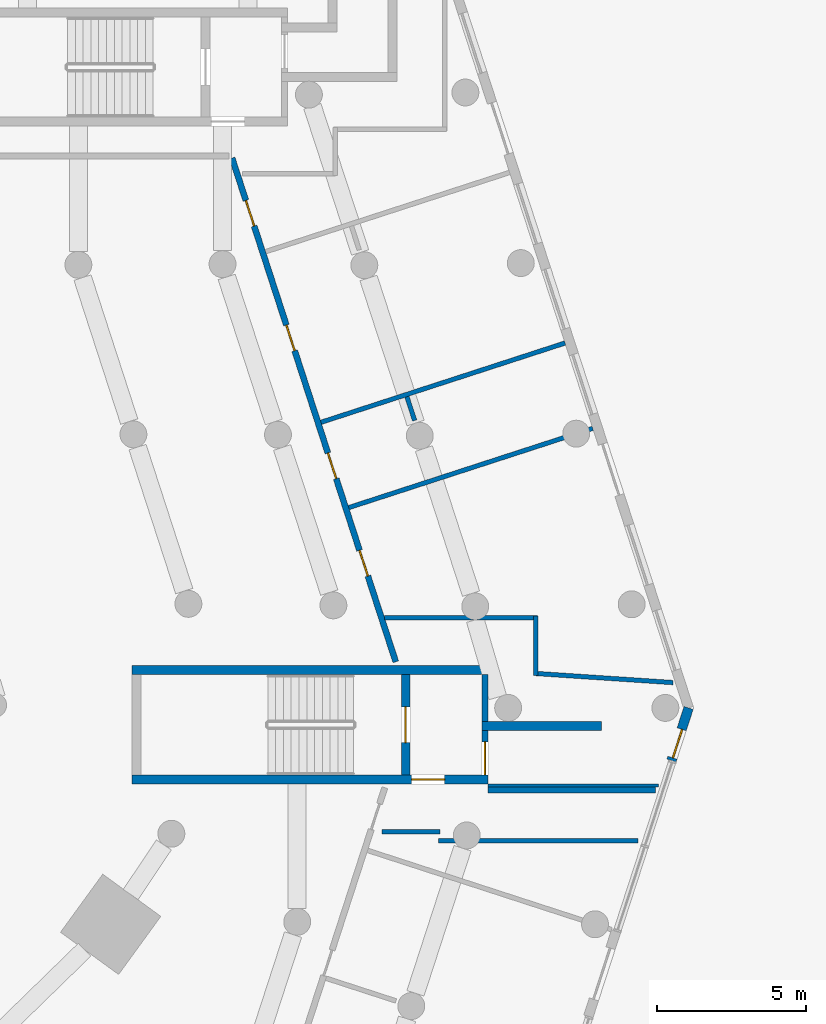
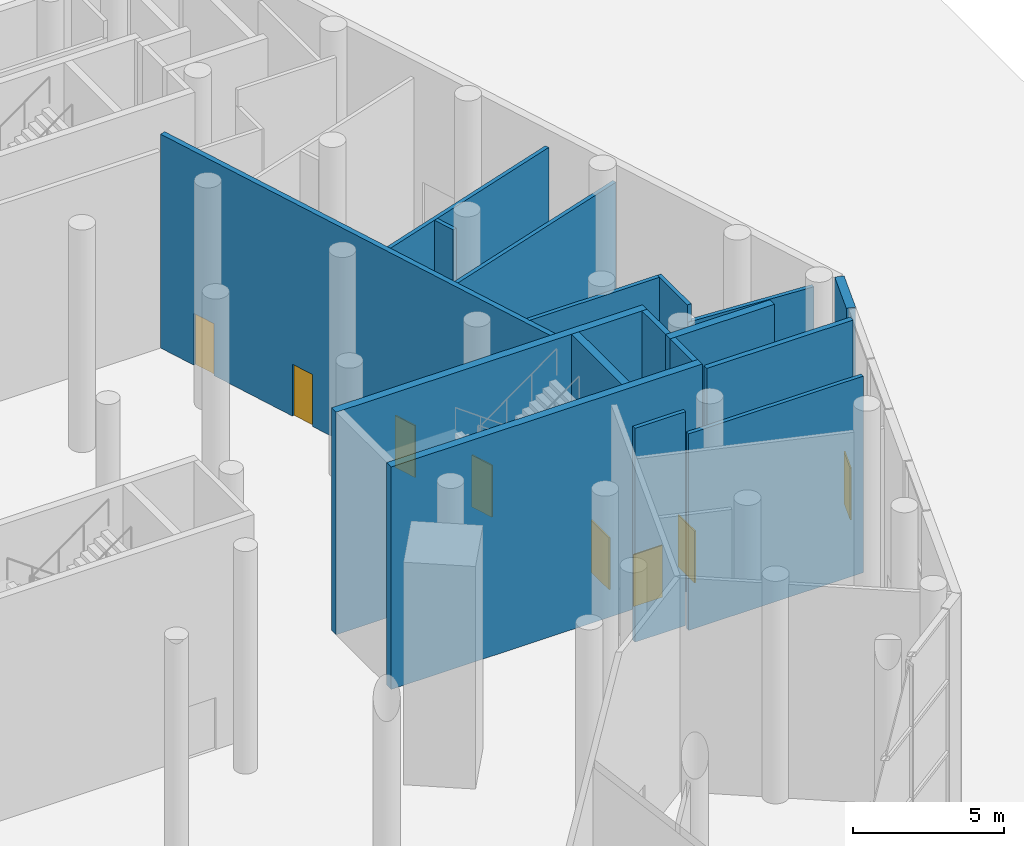
# One storey, part 13 of 25: 18 walls, 8 doors, 8 openings.
"""IFC4 building model written with IfcOpenShell, lengths in metres."""

from ifc_helpers import new_model, si_unit, direction, frame, frame_2d, origin, place, context, subcontext, project, spatial, rectangle, extrude, material, layer, layer_set, type_object, element, fill, save


model = new_model("IFC4")

# Units and contexts
model_context = context("Model", 3, precision=1e-05, world=origin(), true_north=direction((0.0, 1.0)))
body_context = subcontext(model_context, "Body", "Model", "MODEL_VIEW")
ifc_project = project(units=[si_unit("LENGTHUNIT", "METRE"), si_unit("AREAUNIT", "SQUARE_METRE"), si_unit("VOLUMEUNIT", "CUBIC_METRE"), si_unit("PLANEANGLEUNIT", "RADIAN"), si_unit("MASSUNIT", "GRAM", prefix="KILO")], contexts=[model_context])

# Site, building, storey
site_placement = place(None, origin())
site = spatial("IfcSite", under=ifc_project, at=site_placement, CompositionType="ELEMENT")
building_placement = place(site_placement, origin())
building = spatial("IfcBuilding", under=site, at=building_placement, Name="White Candle Pilgrim Tower", CompositionType="ELEMENT")
storey_placement = place(building_placement, origin())
storey = spatial("IfcBuildingStorey", under=building, at=storey_placement, Name="L00", CompositionType="ELEMENT", Elevation=0.0)

# Walls
ifc_material_1 = material(Name="Concrete C70/85", Category="concrete")
ifc_layer_1 = layer(ifc_material_1, 0.199951171875)
ifc_layer_set_1 = layer_set([ifc_layer_1], Name="Core wall 200 mm Concrete C70/85")
wall_type_1 = type_object("IfcWallType", Name="Core wall 200 mm Concrete C70/85", PredefinedType="SHEAR", material=ifc_layer_set_1)
wall_1_placement = place(storey_placement, frame((104.199951171875, 57.800048828125, 0.0), z_axis=(0.0, 0.0, 1.0), x_axis=(1.0, 0.0, 0.0)))
element("IfcWall", 1, at=wall_1_placement, inside=storey, type_object=wall_type_1, Name="WL-L00-C12", PredefinedType="SHEAR", context=body_context, shape_type="SweptSolid", body=[
    extrude(rectangle(XDim=5.60009765625, YDim=0.199951171875, at=frame_2d((2.800048828125, 0.0))), origin(), (0.0, 0.0, 1.0), 9.0),
])
wall_2_placement = place(storey_placement, frame((104.10009765625, 60.090087890625, 0.0), z_axis=(0.0, 0.0, 1.0), x_axis=(0.0, 1.0, 0.0)))
element("IfcWall", 2, at=wall_2_placement, inside=storey, type_object=wall_type_1, Name="WL-L00-C34", PredefinedType="SHEAR", context=body_context, shape_type="SweptSolid", body=[
    extrude(rectangle(XDim=1.559814453125, YDim=0.199951171875, at=frame_2d((0.77978515625, 0.0))), origin(), (0.0, 0.0, 1.0), 9.0),
])

# Wall, openings, doors
ifc_material_2 = material(Name="Gypsum board on steel studs", Category="steel")
ifc_layer_2 = layer(ifc_material_2, 0.199951171875)
ifc_layer_set_2 = layer_set([ifc_layer_2], Name="Corridor wall 200 mm EI 45")
wall_type_2 = type_object("IfcWallType", Name="Corridor wall 200 mm EI 45", PredefinedType="PARTITIONING", material=ifc_layer_set_2)
wall_3_placement = place(storey_placement, frame((95.64111328125, 78.930908203125, 0.0), z_axis=(0.0, 0.0, 1.0), x_axis=(0.309013160516, -0.951057761983, 0.0)))
wall_3 = element("IfcWall", 3, at=wall_3_placement, inside=storey, type_object=wall_type_2, Name="WL-L00-P010", PredefinedType="PARTITIONING", context=body_context, shape_type="SweptSolid", body=[
    extrude(rectangle(XDim=17.71728515625, YDim=0.199951171875, at=frame_2d((8.858642578125, 0.0))), origin(), (0.0, 0.0, 1.0), 8.64990234375),
])
opening_1_placement = place(wall_3_placement, frame((13.799072265625, 0.0, 0.0)))
opening_1 = element("IfcOpeningElement", 4, at=opening_1_placement, cuts=wall_3, Name="Opening L00-119", PredefinedType="OPENING", context=body_context, shape_type="SweptSolid", body=[
    extrude(rectangle(XDim=0.89990234375, YDim=2.10009765625, at=frame_2d((0.449951171875, 1.050048828125))), frame((0.0, 0.10986328125, 0.0), z_axis=(0.0, -1.0, 0.0), x_axis=(1.0, 0.0, 0.0)), (0.0, 0.0, 1.0), 0.219970703125),
])
opening_2_placement = place(wall_3_placement, frame((10.37548828125, 0.0, 0.0)))
opening_2 = element("IfcOpeningElement", 5, at=opening_2_placement, cuts=wall_3, Name="Opening L00-120", PredefinedType="OPENING", context=body_context, shape_type="SweptSolid", body=[
    extrude(rectangle(XDim=0.89990234375, YDim=2.10009765625, at=frame_2d((0.449951171875, 1.050048828125))), frame((0.0, 0.10986328125, 0.0), z_axis=(0.0, -1.0, 0.0), x_axis=(1.0, 0.0, 0.0)), (0.0, 0.0, 1.0), 0.219970703125),
])
opening_3_placement = place(wall_3_placement, frame((5.87548828125, 0.0, 0.0)))
opening_3 = element("IfcOpeningElement", 6, at=opening_3_placement, cuts=wall_3, Name="Opening L00-121", PredefinedType="OPENING", context=body_context, shape_type="SweptSolid", body=[
    extrude(rectangle(XDim=0.89990234375, YDim=2.10009765625, at=frame_2d((0.449951171875, 1.050048828125))), frame((0.0, 0.10986328125, 0.0), z_axis=(0.0, -1.0, 0.0), x_axis=(1.0, 0.0, 0.0)), (0.0, 0.0, 1.0), 0.219970703125),
])
opening_4_placement = place(wall_3_placement, frame((1.49169921875, 0.0, 0.0)))
opening_4 = element("IfcOpeningElement", 7, at=opening_4_placement, cuts=wall_3, Name="Opening L00-122", PredefinedType="OPENING", context=body_context, shape_type="SweptSolid", body=[
    extrude(rectangle(XDim=0.89990234375, YDim=2.10009765625, at=frame_2d((0.449951171875, 1.050048828125))), frame((0.0, 0.10986328125, 0.0), z_axis=(0.0, -1.0, 0.0), x_axis=(1.0, 0.0, 0.0)), (0.0, 0.0, 1.0), 0.219970703125),
])
ifc_material_3 = material(Name="Steel door leaf", Category="steel")
door_type_1 = type_object("IfcDoorType", Name="Fire door 900 x 2100 EI 30", OperationType="NOTDEFINED", PredefinedType="DOOR", material=ifc_material_3)
door_1_placement = place(opening_1_placement, origin())
door_1 = element("IfcDoor", 8, at=door_1_placement, inside=storey, type_object=door_type_1, Name="Door L00-119", OperationType="SINGLE_SWING_LEFT", OverallHeight=2.10009765625, OverallWidth=0.89990234375, PredefinedType="DOOR", context=body_context, shape_type="SweptSolid", body=[
    extrude(rectangle(XDim=0.89990234375, YDim=2.10009765625, at=frame_2d((0.449951171875, 1.050048828125))), frame((0.0, 0.02490234375, 0.0), z_axis=(0.0, -1.0, 0.0), x_axis=(1.0, 0.0, 0.0)), (0.0, 0.0, 1.0), 0.050048828125),
])
fill(opening_1, door_1)
door_2_placement = place(opening_2_placement, origin())
door_2 = element("IfcDoor", 9, at=door_2_placement, inside=storey, type_object=door_type_1, Name="Door L00-120", OperationType="SINGLE_SWING_RIGHT", OverallHeight=2.10009765625, OverallWidth=0.89990234375, PredefinedType="DOOR", context=body_context, shape_type="SweptSolid", body=[
    extrude(rectangle(XDim=0.89990234375, YDim=2.10009765625, at=frame_2d((0.449951171875, 1.050048828125))), frame((0.0, 0.02490234375, 0.0), z_axis=(0.0, -1.0, 0.0), x_axis=(1.0, 0.0, 0.0)), (0.0, 0.0, 1.0), 0.050048828125),
])
fill(opening_2, door_2)
door_3_placement = place(opening_3_placement, origin())
door_3 = element("IfcDoor", 10, at=door_3_placement, inside=storey, type_object=door_type_1, Name="Door L00-121", OperationType="SINGLE_SWING_LEFT", OverallHeight=2.10009765625, OverallWidth=0.89990234375, PredefinedType="DOOR", context=body_context, shape_type="SweptSolid", body=[
    extrude(rectangle(XDim=0.89990234375, YDim=2.10009765625, at=frame_2d((0.449951171875, 1.050048828125))), frame((0.0, 0.02490234375, 0.0), z_axis=(0.0, -1.0, 0.0), x_axis=(1.0, 0.0, 0.0)), (0.0, 0.0, 1.0), 0.050048828125),
])
fill(opening_3, door_3)
door_4_placement = place(opening_4_placement, origin())
door_4 = element("IfcDoor", 11, at=door_4_placement, inside=storey, type_object=door_type_1, Name="Door L00-122", OperationType="SINGLE_SWING_RIGHT", OverallHeight=2.10009765625, OverallWidth=0.89990234375, PredefinedType="DOOR", context=body_context, shape_type="SweptSolid", body=[
    extrude(rectangle(XDim=0.89990234375, YDim=2.10009765625, at=frame_2d((0.449951171875, 1.050048828125))), frame((0.0, 0.02490234375, 0.0), z_axis=(0.0, -1.0, 0.0), x_axis=(1.0, 0.0, 0.0)), (0.0, 0.0, 1.0), 0.050048828125),
])
fill(opening_4, door_4)

# Wall, opening, door
ifc_material_4 = material(Name="Precast concrete C40/50", Category="concrete")
ifc_layer_3 = layer(ifc_material_4, 0.320068359375)
ifc_layer_set_3 = layer_set([ifc_layer_3], Name="Facade wall EW3 precast concrete C40/50 and stone-faced podium wall")
wall_type_3 = type_object("IfcWallType", Name="Facade wall EW3 precast concrete C40/50 and stone-faced podium wall", PredefinedType="SOLIDWALL", material=ifc_layer_set_3)
wall_4_placement = place(storey_placement, frame((110.33984375, 58.77880859375, 0.0), z_axis=(0.0, 0.0, 1.0), x_axis=(0.309056246022, 0.951043761766, 0.0)))
wall_4 = element("IfcWall", 12, at=wall_4_placement, inside=storey, type_object=wall_type_3, Name="Facade wall L00 E chamfer", PredefinedType="SOLIDWALL", context=body_context, shape_type="SweptSolid", body=[
    extrude(rectangle(XDim=1.850830078125, YDim=0.320068359375, at=frame_2d((0.92529296875, 0.0))), origin(), (0.0, 0.0, 1.0), 8.64990234375),
])
opening_5_placement = place(wall_4_placement, frame((0.10009765625, 0.0, 0.0)))
opening_5 = element("IfcOpeningElement", 13, at=opening_5_placement, cuts=wall_4, Name="Opening L00-929", PredefinedType="OPENING", context=body_context, shape_type="SweptSolid", body=[
    extrude(rectangle(XDim=1.0, YDim=2.10009765625, at=frame_2d((0.5, 1.050048828125))), frame((0.0, 0.169921875, 0.0), z_axis=(0.0, -1.0, 0.0), x_axis=(1.0, 0.0, 0.0)), (0.0, 0.0, 1.0), 0.340087890625),
])
ifc_material_5 = material(Name="Timber frame with laminated glazing", Category="wood")
door_type_2 = type_object("IfcDoorType", Name="Exit door EN8 1000x2100 single leaf", OperationType="SINGLE_SWING_RIGHT", PredefinedType="DOOR", material=ifc_material_5)
door_5_placement = place(opening_5_placement, frame((1.0, 0.0, 0.0), z_axis=(0.0, 0.0, 1.0), x_axis=(-1.0, 0.0, 0.0)))
door_5 = element("IfcDoor", 14, at=door_5_placement, inside=storey, type_object=door_type_2, Name="Door L00 exit ST9", OperationType="SINGLE_SWING_RIGHT", OverallHeight=2.10009765625, OverallWidth=1.0, PredefinedType="DOOR", context=body_context, shape_type="SweptSolid", body=[
    extrude(rectangle(XDim=1.0, YDim=2.10009765625, at=frame_2d((0.5, 1.050048828125))), frame((0.0, 0.0400390625, 0.0), z_axis=(0.0, -1.0, 0.0), x_axis=(1.0, 0.0, 0.0)), (0.0, 0.0, 1.0), 0.050048828125),
])
fill(opening_5, door_5)

# Walls
ifc_layer_4 = layer(ifc_material_2, 0.10009765625)
ifc_layer_set_4 = layer_set([ifc_layer_4], Name="Lobby wall 100 mm REI 240")
wall_type_4 = type_object("IfcWallType", Name="Lobby wall 100 mm REI 240", PredefinedType="PARTITIONING", material=ifc_layer_set_4)
wall_5_placement = place(storey_placement, frame((104.199951171875, 57.949951171875, 0.0), z_axis=(0.0, 0.0, 1.0), x_axis=(1.0, 0.0, 0.0)))
element("IfcWall", 15, at=wall_5_placement, inside=storey, type_object=wall_type_4, Name="WL-L00-C16", PredefinedType="PARTITIONING", context=body_context, shape_type="SweptSolid", body=[
    extrude(rectangle(XDim=5.697509765625, YDim=0.10009765625, at=frame_2d((2.8486328125, 0.0))), origin(), (0.0, 0.0, 1.0), 7.949951171875),
])
ifc_layer_5 = layer(ifc_material_2, 0.14990234375)
ifc_layer_set_5 = layer_set([ifc_layer_5], Name="Partition 150 mm EI 60")
wall_type_5 = type_object("IfcWallType", Name="Partition 150 mm EI 60", PredefinedType="PARTITIONING", material=ifc_layer_set_5)
for number, where, z_axis, x_axis, name in (
    (16, (107.705078125, 69.890869140625, 0.0), (0.0, 0.0, 1.0), (-0.951057485731, -0.309014010742, 0.0), "WL-L00-P029"),
    (17, (106.778076171875, 72.744140625, 0.0), (0.0, 0.0, 1.0), (-0.951057485731, -0.309014010742, 0.0), "WL-L00-P030"),
):
    element("IfcWall", number, at=place(storey_placement, frame(where, z_axis=z_axis, x_axis=x_axis)), inside=storey, type_object=wall_type_5, Name=name, PredefinedType="PARTITIONING", context=body_context, shape_type="SweptSolid", body=[
        extrude(rectangle(XDim=8.580078125, YDim=0.14990234375, at=frame_2d((4.2900390625, 0.0))), origin(), (0.0, 0.0, 1.0), 7.949951171875),
    ])
wall_6_placement = place(storey_placement, frame((101.747802734375, 70.152099609375, 0.0), z_axis=(0.0, 0.0, 1.0), x_axis=(-0.309033234433, 0.951051239427, 0.0)))
element("IfcWall", 18, at=wall_6_placement, inside=storey, type_object=wall_type_5, Name="WL-L00-P044", PredefinedType="PARTITIONING", context=body_context, shape_type="SweptSolid", body=[
    extrude(rectangle(XDim=0.8359375, YDim=0.14990234375, at=frame_2d((0.41796875, 0.0))), origin(), (0.0, 0.0, 1.0), 7.949951171875),
])
wall_7_placement = place(storey_placement, frame((110.390380859375, 61.385986328125, 0.0), z_axis=(0.0, 0.0, 1.0), x_axis=(-0.997812424504, 0.066108740011, 0.0)))
element("IfcWall", 19, at=wall_7_placement, inside=storey, type_object=wall_type_5, Name="WL-L00-P070", PredefinedType="PARTITIONING", context=body_context, shape_type="SweptSolid", body=[
    extrude(rectangle(XDim=4.66064453125, YDim=0.14990234375, at=frame_2d((2.330322265625, 0.0))), origin(), (0.0, 0.0, 1.0), 7.949951171875),
])
wall_8_placement = place(storey_placement, frame((105.800048828125, 61.6298828125, 0.0), z_axis=(0.0, 0.0, 1.0), x_axis=(0.0, 1.0, 0.0)))
element("IfcWall", 20, at=wall_8_placement, inside=storey, type_object=wall_type_5, Name="WL-L00-P071", PredefinedType="PARTITIONING", context=body_context, shape_type="SweptSolid", body=[
    extrude(rectangle(XDim=1.980224609375, YDim=0.14990234375, at=frame_2d((0.990234375, 0.0))), origin(), (0.0, 0.0, 1.0), 8.64990234375),
])
wall_9_placement = place(storey_placement, frame((105.860107421875, 63.550048828125, 0.0), z_axis=(0.0, 0.0, 1.0), x_axis=(-1.0, 0.0, 0.0)))
element("IfcWall", 21, at=wall_9_placement, inside=storey, type_object=wall_type_5, Name="WL-L00-P072", PredefinedType="PARTITIONING", context=body_context, shape_type="SweptSolid", body=[
    extrude(rectangle(XDim=5.11328125, YDim=0.14990234375, at=frame_2d((2.556640625, 0.0))), origin(), (0.0, 0.0, 1.0), 8.64990234375),
])
wall_10_placement = place(storey_placement, frame((102.5400390625, 56.10009765625, 0.0), z_axis=(0.0, 0.0, 1.0), x_axis=(1.0, 0.0, 0.0)))
element("IfcWall", 22, at=wall_10_placement, inside=storey, type_object=wall_type_5, Name="WL-L00-P073", PredefinedType="PARTITIONING", context=body_context, shape_type="SweptSolid", body=[
    extrude(rectangle(XDim=6.6845703125, YDim=0.14990234375, at=frame_2d((3.34228515625, 0.0))), origin(), (0.0, 0.0, 1.0), 7.949951171875),
])
wall_11_placement = place(storey_placement, frame((100.658203125, 56.39990234375, 0.0), z_axis=(0.0, 0.0, 1.0), x_axis=(1.0, 0.0, 0.0)))
element("IfcWall", 23, at=wall_11_placement, inside=storey, type_object=wall_type_5, Name="WL-L00-P074", PredefinedType="PARTITIONING", context=body_context, shape_type="SweptSolid", body=[
    extrude(rectangle(XDim=1.94189453125, YDim=0.14990234375, at=frame_2d((0.970947265625, 0.0))), origin(), (0.0, 0.0, 1.0), 8.64990234375),
])

# Wall, opening, door
ifc_layer_6 = layer(ifc_material_1, 0.199951171875)
ifc_layer_set_6 = layer_set([ifc_layer_6], Name="Stair shaft wall 200 mm Concrete C70/85")
wall_type_6 = type_object("IfcWallType", Name="Stair shaft wall 200 mm Concrete C70/85", PredefinedType="SHEAR", material=ifc_layer_set_6)
wall_12_placement = place(storey_placement, frame((104.10009765625, 58.300048828125, 0.0), z_axis=(0.0, 0.0, 1.0), x_axis=(0.0, 1.0, 0.0)))
wall_12 = element("IfcWall", 24, at=wall_12_placement, inside=storey, type_object=wall_type_6, Name="WL-L00-C30", PredefinedType="SHEAR", context=body_context, shape_type="SweptSolid", body=[
    extrude(rectangle(XDim=1.489990234375, YDim=0.199951171875, at=frame_2d((0.7451171875, 0.0))), origin(), (0.0, 0.0, 1.0), 9.0),
])
opening_6_placement = place(wall_12_placement, origin())
opening_6 = element("IfcOpeningElement", 25, at=opening_6_placement, cuts=wall_12, Name="Opening L00-024", PredefinedType="OPENING", context=body_context, shape_type="SweptSolid", body=[
    extrude(rectangle(XDim=1.10009765625, YDim=2.10009765625, at=frame_2d((0.550048828125, 1.050048828125))), frame((0.0, 0.10986328125, 0.0), z_axis=(0.0, -1.0, 0.0), x_axis=(1.0, 0.0, 0.0)), (0.0, 0.0, 1.0), 0.219970703125),
])
door_type_3 = type_object("IfcDoorType", Name="Fire door 1100 x 2100 EI 60", OperationType="NOTDEFINED", PredefinedType="DOOR", material=ifc_material_3)
door_6_placement = place(opening_6_placement, frame((1.10009765625, 0.0, 0.0), z_axis=(0.0, 0.0, 1.0), x_axis=(-1.0, 0.0, 0.0)))
door_6 = element("IfcDoor", 26, at=door_6_placement, inside=storey, type_object=door_type_3, Name="Door L00-024", OperationType="SINGLE_SWING_LEFT", OverallHeight=2.10009765625, OverallWidth=1.10009765625, PredefinedType="DOOR", context=body_context, shape_type="SweptSolid", body=[
    extrude(rectangle(XDim=1.10009765625, YDim=2.10009765625, at=frame_2d((0.550048828125, 1.050048828125))), frame((0.0, 0.02490234375, 0.0), z_axis=(0.0, -1.0, 0.0), x_axis=(1.0, 0.0, 0.0)), (0.0, 0.0, 1.0), 0.050048828125),
])
fill(opening_6, door_6)

ifc_layer_7 = layer(ifc_material_1, 0.300048828125)
ifc_layer_set_7 = layer_set([ifc_layer_7], Name="Stair shaft wall 300 mm Concrete C70/85")
wall_type_7 = type_object("IfcWallType", Name="Stair shaft wall 300 mm Concrete C70/85", PredefinedType="SHEAR", material=ifc_layer_set_7)
wall_13_placement = place(storey_placement, frame((92.300048828125, 58.14990234375, 0.0), z_axis=(0.0, 0.0, 1.0), x_axis=(1.0, 0.0, 0.0)))
wall_13 = element("IfcWall", 27, at=wall_13_placement, inside=storey, type_object=wall_type_7, Name="WL-L00-C18", PredefinedType="SHEAR", context=body_context, shape_type="SweptSolid", body=[
    extrude(rectangle(XDim=11.89990234375, YDim=0.300048828125, at=frame_2d((5.949951171875, 0.0))), origin(), (0.0, 0.0, 1.0), 9.0),
])
opening_7_placement = place(wall_13_placement, frame((9.35009765625, 0.0, 0.0)))
opening_7 = element("IfcOpeningElement", 28, at=opening_7_placement, cuts=wall_13, Name="Opening L00-022", PredefinedType="OPENING", context=body_context, shape_type="SweptSolid", body=[
    extrude(rectangle(XDim=1.10009765625, YDim=2.10009765625, at=frame_2d((0.550048828125, 1.050048828125))), frame((0.0, 0.159912109375, 0.0), z_axis=(0.0, -1.0, 0.0), x_axis=(1.0, 0.0, 0.0)), (0.0, 0.0, 1.0), 0.320068359375),
])
door_7_placement = place(opening_7_placement, origin())
door_7 = element("IfcDoor", 29, at=door_7_placement, inside=storey, type_object=door_type_3, Name="Door L00-022", OperationType="SINGLE_SWING_RIGHT", OverallHeight=2.10009765625, OverallWidth=1.10009765625, PredefinedType="DOOR", context=body_context, shape_type="SweptSolid", body=[
    extrude(rectangle(XDim=1.10009765625, YDim=2.10009765625, at=frame_2d((0.550048828125, 1.050048828125))), frame((0.0, 0.02490234375, 0.0), z_axis=(0.0, -1.0, 0.0), x_axis=(1.0, 0.0, 0.0)), (0.0, 0.0, 1.0), 0.050048828125),
])
fill(opening_7, door_7)

wall_14_placement = place(storey_placement, frame((101.449951171875, 58.300048828125, 0.0), z_axis=(0.0, 0.0, 1.0), x_axis=(0.0, 1.0, 0.0)))
wall_14 = element("IfcWall", 30, at=wall_14_placement, inside=storey, type_object=wall_type_7, Name="WL-L00-C29", PredefinedType="SHEAR", context=body_context, shape_type="SweptSolid", body=[
    extrude(rectangle(XDim=3.349853515625, YDim=0.300048828125, at=frame_2d((1.6748046875, 0.0))), origin(), (0.0, 0.0, 1.0), 9.0),
])
opening_8_placement = place(wall_14_placement, frame((1.074951171875, 0.0, 0.0)))
opening_8 = element("IfcOpeningElement", 31, at=opening_8_placement, cuts=wall_14, Name="Opening L00-023", PredefinedType="OPENING", context=body_context, shape_type="SweptSolid", body=[
    extrude(rectangle(XDim=1.199951171875, YDim=2.10009765625, at=frame_2d((0.60009765625, 1.050048828125))), frame((0.0, 0.159912109375, 0.0), z_axis=(0.0, -1.0, 0.0), x_axis=(1.0, 0.0, 0.0)), (0.0, 0.0, 1.0), 0.320068359375),
])
door_type_4 = type_object("IfcDoorType", Name="Fire door 1200 x 2100 EI 60", OperationType="NOTDEFINED", PredefinedType="DOOR", material=ifc_material_3)
door_8_placement = place(opening_8_placement, origin())
door_8 = element("IfcDoor", 32, at=door_8_placement, inside=storey, type_object=door_type_4, Name="Door L00-023", OperationType="SINGLE_SWING_LEFT", OverallHeight=2.10009765625, OverallWidth=1.199951171875, PredefinedType="DOOR", context=body_context, shape_type="SweptSolid", body=[
    extrude(rectangle(XDim=1.199951171875, YDim=2.10009765625, at=frame_2d((0.60009765625, 1.050048828125))), frame((0.0, 0.02490234375, 0.0), z_axis=(0.0, -1.0, 0.0), x_axis=(1.0, 0.0, 0.0)), (0.0, 0.0, 1.0), 0.050048828125),
])
fill(opening_8, door_8)

# Walls
wall_15_placement = place(storey_placement, frame((104.0, 59.93994140625, 0.0), z_axis=(0.0, 0.0, 1.0), x_axis=(1.0, 0.0, 0.0)))
element("IfcWall", 33, at=wall_15_placement, inside=storey, type_object=wall_type_7, Name="WL-L00-C32", PredefinedType="SHEAR", context=body_context, shape_type="SweptSolid", body=[
    extrude(rectangle(XDim=4.0, YDim=0.300048828125, at=frame_2d((2.0, 0.0))), origin(), (0.0, 0.0, 1.0), 9.0),
])
wall_16_placement = place(storey_placement, frame((92.300048828125, 61.800048828125, 0.0), z_axis=(0.0, 0.0, 1.0), x_axis=(1.0, 0.0, 0.0)))
element("IfcWall", 34, at=wall_16_placement, inside=storey, type_object=wall_type_7, Name="WL-L00-C38", PredefinedType="SHEAR", context=body_context, shape_type="SweptSolid", body=[
    extrude(rectangle(XDim=11.89990234375, YDim=0.300048828125, at=frame_2d((5.949951171875, 0.0))), origin(), (0.0, 0.0, 1.0), 9.0),
])

save(model, "model.ifc")
